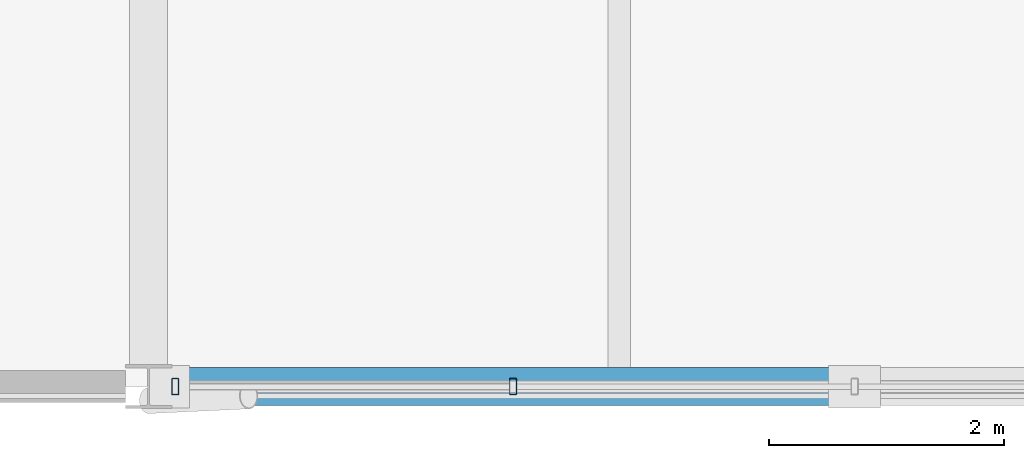
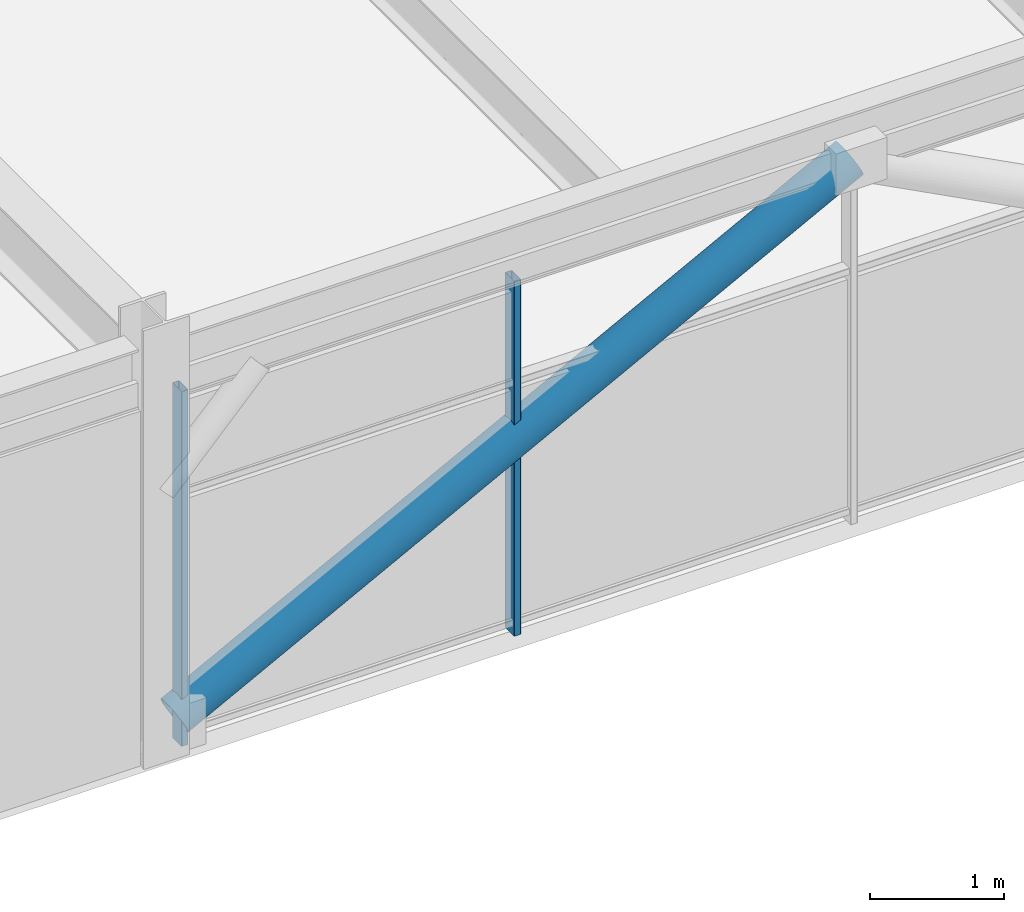
# One storey, part 8 of 52: 3 members, 1 element without a shape of its own.
"""IFC4 building model written with IfcOpenShell, lengths in metres."""

import ifcopenshell
import ifcopenshell.guid

model = None  # the IFC model being written
_history = None  # IfcOwnerHistory: only IFC2X3 demands one
_inside = {}  # id of a spatial element -> (the spatial element, [elements in it])
_under = {}  # id of a project, library or spatial element -> (it, [spatial elements below it])
_declared = {}  # id of a project -> (the project, [libraries it declares])
_typed = {}  # id of a type object -> (the type object, [elements of that type])
_made_of = {}  # id of a material, layer set ... -> (it, [elements and type objects made of it])


def new_model(schema):
    """Start an empty IFC model of exactly this schema.

    Asked for "IFC4X3", IfcOpenShell would pick the latest addendum, in which some entities
    have other attributes; the version numbers below select the first issue.
    IFC2X3 requires an IfcOwnerHistory on every rooted entity: one is made here for all.
    """
    global model, _history
    if schema == "IFC4X3":
        model = ifcopenshell.file(schema_version=(4, 3, 0, 0))
    else:
        model = ifcopenshell.file(schema=schema)
    _inside.clear()
    _under.clear()
    _declared.clear()
    _typed.clear()
    _made_of.clear()
    _history = None
    if model.schema == "IFC2X3":
        org = make("IfcOrganization", Name="unknown")
        user = make(
            "IfcPersonAndOrganization",
            ThePerson=make("IfcPerson", FamilyName="unknown"),
            TheOrganization=org,
        )
        app = make(
            "IfcApplication",
            ApplicationDeveloper=org,
            Version="unknown",
            ApplicationFullName="unknown",
            ApplicationIdentifier="unknown",
        )
        _history = make(
            "IfcOwnerHistory",
            OwningUser=user,
            OwningApplication=app,
            ChangeAction="ADDED",
            CreationDate=0,
        )
    return model


def make(cls, **values):
    """One entity of the class cls with the attributes given. An attribute that is None is left unset."""
    return model.create_entity(
        cls, **{name: value for name, value in values.items() if value is not None}
    )


def rooted(cls, **values):
    """An entity with a GlobalId (a new one), such as an element, a storey or a relation."""
    return make(cls, GlobalId=ifcopenshell.guid.new(), OwnerHistory=_history, **values)


def si_unit(unit_type, name, prefix=None):
    """IfcSIUnit, for example si_unit("LENGTHUNIT", "METRE", prefix="MILLI")."""
    return make("IfcSIUnit", UnitType=unit_type, Prefix=prefix, Name=name)


def assignment(units):
    """IfcUnitAssignment: the units of a project."""
    return None if units is None else make("IfcUnitAssignment", Units=units)


def point(xyz):
    """IfcCartesianPoint."""
    return None if xyz is None else make("IfcCartesianPoint", Coordinates=xyz)


def direction(xyz):
    """IfcDirection."""
    return None if xyz is None else make("IfcDirection", DirectionRatios=xyz)


def frame(location, z_axis=None, x_axis=None):
    """IfcAxis2Placement3D, a coordinate frame: its origin and axes. An axis left out is left unset."""
    return make(
        "IfcAxis2Placement3D",
        Location=point(location),
        Axis=direction(z_axis),
        RefDirection=direction(x_axis),
    )


def frame_2d(location, x_axis=None):
    """IfcAxis2Placement2D, a coordinate frame in the plane: its origin and x axis."""
    return make(
        "IfcAxis2Placement2D", Location=point(location), RefDirection=direction(x_axis)
    )


def origin():
    """The frame at (0, 0, 0) with its axes left unset."""
    return frame((0.0, 0.0, 0.0))


def origin_2d():
    """The frame at (0, 0) in the plane with its x axis left unset."""
    return frame_2d((0.0, 0.0))


def place(relative_to, where):
    """IfcLocalPlacement: puts the frame where relative to a parent placement (None: the world)."""
    return make(
        "IfcLocalPlacement", PlacementRelTo=relative_to, RelativePlacement=where
    )


def context(
    kind, dimensions, precision=None, world=None, true_north=None, identifier=None
):
    """IfcGeometricRepresentationContext, for example the 3D "Model" context."""
    return make(
        "IfcGeometricRepresentationContext",
        ContextIdentifier=identifier,
        ContextType=kind,
        CoordinateSpaceDimension=dimensions,
        Precision=precision,
        WorldCoordinateSystem=world,
        TrueNorth=true_north,
    )


def subcontext(parent, identifier, kind, view, scale=None):
    """IfcGeometricRepresentationSubContext, for example "Body" below "Model"."""
    return make(
        "IfcGeometricRepresentationSubContext",
        ContextIdentifier=identifier,
        ContextType=kind,
        ParentContext=parent,
        TargetScale=scale,
        TargetView=view,
    )


def project(units=None, contexts=None):
    """IfcProject with its units and contexts."""
    return rooted(
        "IfcProject",
        Name="project",
        RepresentationContexts=contexts,
        UnitsInContext=assignment(units),
    )


def spatial(cls, under=None, at=None, **own):
    """A site, building, storey or space (cls), placed at a placement, below another one or the project."""
    s = rooted(cls, ObjectPlacement=at, **own)
    if under is not None:
        _under.setdefault(under.id(), (under, []))[1].append(s)
    return s


def profile(cls, at=None, kind="AREA", **sizes):
    """A parametric profile (cls). Its sizes go by their IFC names, for example OverallWidth=200.0."""
    return make(cls, ProfileType=kind, Position=at, **sizes)


def hollow_rectangle(**sizes):
    """IfcRectangleHollowProfileDef."""
    return profile("IfcRectangleHollowProfileDef", **sizes)


def hollow_circle(**sizes):
    """IfcCircleHollowProfileDef."""
    return profile("IfcCircleHollowProfileDef", **sizes)


def extrude(swept, where, along, depth):
    """IfcExtrudedAreaSolid: the profile swept, set in the frame where, extruded along a direction by depth."""
    return make(
        "IfcExtrudedAreaSolid",
        SweptArea=swept,
        Position=where,
        ExtrudedDirection=direction(along),
        Depth=depth,
    )


def shape(context_of_items, identifier, shape_type, items):
    """IfcShapeRepresentation: the items that make up one representation, for example the "Body"."""
    return make(
        "IfcShapeRepresentation",
        ContextOfItems=context_of_items,
        RepresentationIdentifier=identifier,
        RepresentationType=shape_type,
        Items=items,
    )


def material(Name=None, Category=None):
    """IfcMaterial."""
    return make("IfcMaterial", Name=Name, Category=Category)


def material_profile(
    of_material, cross_section, Name=None, Category=None, Priority=None
):
    """IfcMaterialProfile: a cross section and its material."""
    return make(
        "IfcMaterialProfile",
        Name=Name,
        Material=of_material,
        Profile=cross_section,
        Priority=Priority,
        Category=Category,
    )


def profile_set(profiles, Name=None, composite=None):
    """IfcMaterialProfileSet."""
    return make(
        "IfcMaterialProfileSet",
        Name=Name,
        MaterialProfiles=profiles,
        CompositeProfile=composite,
    )


def made_of(thing, what):
    """Note that an element or type object is made of a material, layer set ...; save() writes the relation."""
    if what is not None:
        _made_of.setdefault(what.id(), (what, []))[1].append(thing)
    return thing


def type_object(cls, material=None, **own):
    """A type object (cls), such as IfcWallType, which elements share."""
    return made_of(rooted(cls, **own), material)


def element(
    cls,
    number,
    at=None,
    inside=None,
    cuts=None,
    type_object=None,
    material=None,
    context=None,
    identifier="Body",
    shape_type=None,
    held_by="IfcProductDefinitionShape",
    body=None,
    shapes=None,
    **own,
):
    """One element of the class cls, such as IfcWall. Its Tag is "e" and its number.

    at: its placement. inside: the storey or other place that contains it. cuts: it is an
    opening in that element (IfcRelVoidsElement). A single representation is given by context,
    identifier, shape_type and body (its items); several are given by shapes. held_by: the class
    of the entity that holds the representations. save() writes the other relations.
    """
    e = rooted(cls, Tag="e%d" % number, ObjectPlacement=at, **own)
    if body is not None:
        shapes = [shape(context, identifier, shape_type, body)]
    if shapes is not None:
        e.Representation = make(held_by, Representations=shapes)
    if inside is not None:
        _inside.setdefault(inside.id(), (inside, []))[1].append(e)
    if cuts is not None:
        rooted(
            "IfcRelVoidsElement", RelatingBuildingElement=cuts, RelatedOpeningElement=e
        )
    if type_object is not None:
        _typed.setdefault(type_object.id(), (type_object, []))[1].append(e)
    return made_of(e, material)


def aggregate(whole, parts):
    """IfcRelAggregates: a whole, such as a stair, and the parts it consists of."""
    return rooted("IfcRelAggregates", RelatingObject=whole, RelatedObjects=parts)


def save(model, path):
    """Write the relations noted so far, then the file.

    IfcRelAggregates (storeys below a building ...), IfcRelContainedInSpatialStructure (elements
    in a storey), IfcRelDefinesByType, IfcRelAssociatesMaterial and IfcRelDeclares: one each for
    every whole, place, type object, material and project.
    """
    for whole, parts in _under.values():
        aggregate(whole, parts)
    for where, things in _inside.values():
        rooted(
            "IfcRelContainedInSpatialStructure",
            RelatedElements=things,
            RelatingStructure=where,
        )
    for kind, things in _typed.values():
        rooted("IfcRelDefinesByType", RelatedObjects=things, RelatingType=kind)
    for what, things in _made_of.values():
        rooted("IfcRelAssociatesMaterial", RelatedObjects=things, RelatingMaterial=what)
    for by, libraries in _declared.values():
        rooted("IfcRelDeclares", RelatingContext=by, RelatedDefinitions=libraries)
    model.write(path)


model = new_model("IFC4")

# Units and contexts
model_context = context("Model", 3, precision=1e-05, world=origin(), true_north=direction((0.0, 1.0)))
body_context = subcontext(model_context, "Body", "Model", "MODEL_VIEW")
ifc_project = project(units=[si_unit("LENGTHUNIT", "METRE"), si_unit("AREAUNIT", "SQUARE_METRE"), si_unit("VOLUMEUNIT", "CUBIC_METRE"), si_unit("PLANEANGLEUNIT", "RADIAN"), si_unit("MASSUNIT", "GRAM", prefix="KILO")], contexts=[model_context])

# Site, building, storey
site_placement = place(None, origin())
site = spatial("IfcSite", under=ifc_project, at=site_placement, CompositionType="ELEMENT")
building_placement = place(site_placement, origin())
building = spatial("IfcBuilding", under=site, at=building_placement, Name="Girod Span Mobility Hub", CompositionType="ELEMENT")
storey_placement = place(building_placement, frame((0.0, 0.0, 45.60009765625)))
storey = spatial("IfcBuildingStorey", under=building, at=storey_placement, Name="L11", CompositionType="ELEMENT", Elevation=45.60009765625)

# Curtain wall, members
ifc_material_1 = material(Name="Thermally Broken Anodised Aluminium", Category="aluminium")
curtain_wall_type = type_object("IfcCurtainWallType", Name="CW-1161X324", PredefinedType="USERDEFINED", material=ifc_material_1)
curtain_wall_placement = place(storey_placement, origin())
curtain_wall = element("IfcCurtainWall", 1, at=curtain_wall_placement, inside=storey, type_object=curtain_wall_type, Name="Unitised Curtain Wall CW-L11-S04 L11", ObjectType="UNITISED CURTAIN WALL", PredefinedType="USERDEFINED")
ifc_material_2 = material(Name="Thermally Broken Anodised Aluminium", Category="aluminium")
ifc_material_profile_1 = material_profile(ifc_material_2, hollow_rectangle(XDim=0.139892578125, YDim=0.06005859375, WallThickness=0.00341796875, InnerFilletRadius=0.00341796875, OuterFilletRadius=0.007080078125, at=origin_2d()), Name="CW-ML-60X140")
ifc_profile_set_1 = profile_set([ifc_material_profile_1], Name="Thermally Broken Anodised Aluminium")
member_type_1 = type_object("IfcMemberType", Name="CWM-ML-4", PredefinedType="MULLION", material=ifc_profile_set_1)
member_1_placement = place(storey_placement, frame((36.22705078125, 27.0, 0.0), z_axis=(0.0, 0.0, 1.0), x_axis=(0.0, 1.0, 0.0)))
member_1 = element("IfcMember", 2, at=member_1_placement, type_object=member_type_1, Name="Curtain Wall Mullion CW-L11-S04-M0", PredefinedType="MULLION", context=body_context, shape_type="SweptSolid", body=[
    extrude(hollow_rectangle(XDim=0.139892578125, YDim=0.06005859375, WallThickness=0.00341796875, InnerFilletRadius=0.00341796875, OuterFilletRadius=0.007080078125, at=origin_2d()), origin(), (0.0, 0.0, 1.0), 3.23583984375),
])
member_2_placement = place(storey_placement, frame((39.097412109375, 27.0, 0.0), z_axis=(0.0, 0.0, 1.0), x_axis=(0.0, 1.0, 0.0)))
member_2 = element("IfcMember", 3, at=member_2_placement, type_object=member_type_1, Name="Curtain Wall Mullion CW-L11-S04-M1", PredefinedType="MULLION", context=body_context, shape_type="SweptSolid", body=[
    extrude(hollow_rectangle(XDim=0.139892578125, YDim=0.06005859375, WallThickness=0.00341796875, InnerFilletRadius=0.00341796875, OuterFilletRadius=0.007080078125, at=origin_2d()), origin(), (0.0, 0.0, 1.0), 3.23583984375),
])
aggregate(curtain_wall, [member_1, member_2])

# Member
ifc_material_3 = material(Name="Steel HSS A500 Grade C", Category="steel")
ifc_material_profile_2 = material_profile(ifc_material_3, hollow_circle(Radius=0.162109375, WallThickness=0.01171875, at=origin_2d()), Name="HSS324X12.7")
ifc_profile_set_2 = profile_set([ifc_material_profile_2], Name="Steel HSS A500 Grade C")
member_type_2 = type_object("IfcMemberType", Name="MB-BR-HSS324", PredefinedType="BRACE", material=ifc_profile_set_2)
member_3_placement = place(storey_placement, frame((36.177001953125, 27.0, 0.25), z_axis=(0.886096804354, 0.0, 0.463500219325), x_axis=(0.0, 1.0, 0.0)))
element("IfcMember", 4, at=member_3_placement, inside=storey, type_object=member_type_2, Name="Upper Diagrid Brace 4/C-L L11", PredefinedType="BRACE", context=body_context, shape_type="SweptSolid", body=[
    extrude(hollow_circle(Radius=0.162109375, WallThickness=0.01171875, at=origin_2d()), origin(), (0.0, 0.0, 1.0), 6.571533203125),
])

save(model, "model.ifc")
